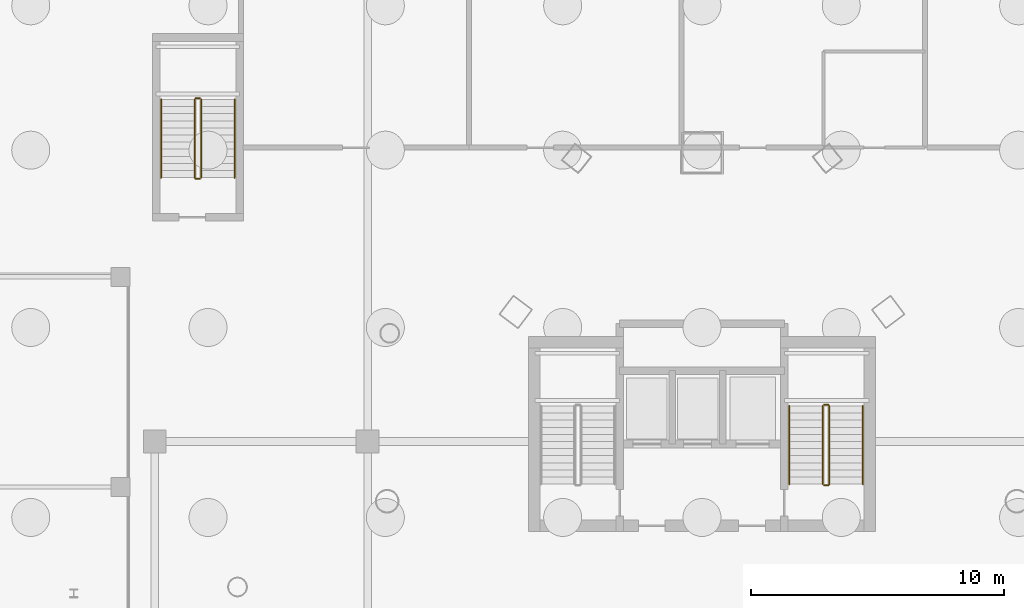
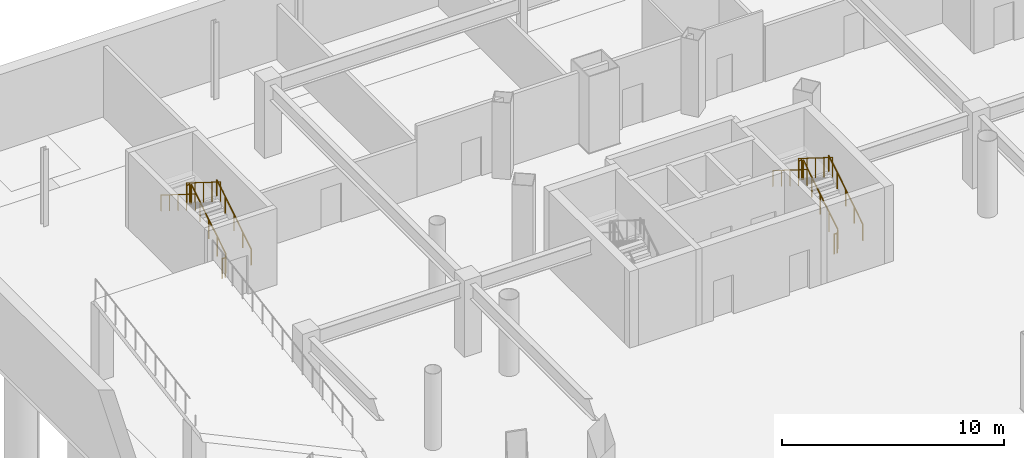
# One storey, part 10 of 12: 12 railings.
"""IFC4 building model written with IfcOpenShell, lengths in metres."""

from ifc_helpers import new_model, si_unit, direction, frame, origin, origin_2d, place, context, subcontext, project, spatial, circle, extrude, material, type_object, element, save


model = new_model("IFC4")

# Units and contexts
model_context = context("Model", 3, precision=1e-05, world=origin(), true_north=direction((0.0, 1.0)))
body_context = subcontext(model_context, "Body", "Model", "MODEL_VIEW")
ifc_project = project(units=[si_unit("LENGTHUNIT", "METRE"), si_unit("AREAUNIT", "SQUARE_METRE"), si_unit("VOLUMEUNIT", "CUBIC_METRE"), si_unit("PLANEANGLEUNIT", "RADIAN"), si_unit("MASSUNIT", "GRAM", prefix="KILO")], contexts=[model_context])

# Site, building, storey
site_placement = place(None, origin())
site = spatial("IfcSite", under=ifc_project, at=site_placement, CompositionType="ELEMENT")
building_placement = place(site_placement, origin())
building = spatial("IfcBuilding", under=site, at=building_placement, Name="Orvanel Arch Residences", CompositionType="ELEMENT")
storey_placement = place(building_placement, frame((0.0, 0.0, -8.39990234375)))
storey = spatial("IfcBuildingStorey", under=building, at=storey_placement, Name="B02", CompositionType="ELEMENT", Elevation=-8.39990234375)

# Railings
ifc_material = material(Name="Structural steel AS/NZS 1163 C350L0 (Grade 350)", Category="steel")
railing_type_1 = type_object("IfcRailingType", Name="RL-STAIR-GUARD", PredefinedType="GUARDRAIL", material=ifc_material)
railing_1_placement = place(storey_placement, frame((38.030029296875, 28.320068359375, 0.1748046875)))
element("IfcRailing", 1, at=railing_1_placement, inside=storey, type_object=railing_type_1, Name="B02 ST-2 stair guard 1", PredefinedType="GUARDRAIL", context=body_context, shape_type="SweptSolid", body=[
    extrude(circle(Radius=0.02392578125, at=origin_2d()), frame((0.0, 0.001220703125, 1.076904296875), z_axis=(0.0, 0.847979421464, 0.530029150871), x_axis=(-1.0, 0.0, 0.0)), (0.0, 0.0, 1.0), 3.62890625),
    extrude(circle(Radius=0.02099609375, at=origin_2d()), origin(), (0.0, 0.0, 1.0), 1.050048828125),
    extrude(circle(Radius=0.02099609375, at=origin_2d()), frame((0.0, 0.77001953125, 0.481201171875)), (0.0, 0.0, 1.0), 1.050048828125),
    extrude(circle(Radius=0.02099609375, at=origin_2d()), frame((0.0, 1.5400390625, 0.96240234375)), (0.0, 0.0, 1.0), 1.050048828125),
    extrude(circle(Radius=0.02099609375, at=origin_2d()), frame((0.0, 2.309814453125, 1.44384765625)), (0.0, 0.0, 1.0), 1.050048828125),
    extrude(circle(Radius=0.02099609375, at=origin_2d()), frame((0.0, 3.079833984375, 1.925048828125)), (0.0, 0.0, 1.0), 1.050048828125),
])
railing_2_placement = place(storey_placement, frame((37.97998046875, 31.449951171875, 2.099853515625)))
element("IfcRailing", 2, at=railing_2_placement, inside=storey, type_object=railing_type_1, Name="B02 ST-2 stair guard 2", PredefinedType="GUARDRAIL", context=body_context, shape_type="SweptSolid", body=[
    extrude(circle(Radius=0.02392578125, at=origin_2d()), frame((-0.00146484375, 0.0, 1.076171875), z_axis=(-1.0, 0.0, 0.0), x_axis=(0.0, -1.0, 0.0)), (0.0, 0.0, 1.0), 0.156982421875),
    extrude(circle(Radius=0.02099609375, at=origin_2d()), origin(), (0.0, 0.0, 1.0), 1.050048828125),
    extrude(circle(Radius=0.02099609375, at=origin_2d()), frame((-0.159912109375, 0.0, 0.0)), (0.0, 0.0, 1.0), 1.050048828125),
])
railing_3_placement = place(storey_placement, frame((37.77001953125, 31.39990234375, 2.27490234375)))
element("IfcRailing", 3, at=railing_3_placement, inside=storey, type_object=railing_type_1, Name="B02 ST-2 stair guard 3", PredefinedType="GUARDRAIL", context=body_context, shape_type="SweptSolid", body=[
    extrude(circle(Radius=0.02392578125, at=origin_2d()), frame((0.0, -0.001220703125, 1.076904296875), z_axis=(0.0, -0.847979421464, 0.530029150871), x_axis=(1.0, 0.0, 0.0)), (0.0, 0.0, 1.0), 3.62890625),
    extrude(circle(Radius=0.02099609375, at=origin_2d()), origin(), (0.0, 0.0, 1.0), 1.050048828125),
    extrude(circle(Radius=0.02099609375, at=origin_2d()), frame((0.0, -0.77001953125, 0.481201171875)), (0.0, 0.0, 1.0), 1.050048828125),
    extrude(circle(Radius=0.02099609375, at=origin_2d()), frame((0.0, -1.5400390625, 0.96240234375)), (0.0, 0.0, 1.0), 1.050048828125),
    extrude(circle(Radius=0.02099609375, at=origin_2d()), frame((0.0, -2.309814453125, 1.44384765625)), (0.0, 0.0, 1.0), 1.050048828125),
    extrude(circle(Radius=0.02099609375, at=origin_2d()), frame((0.0, -3.079833984375, 1.925048828125)), (0.0, 0.0, 1.0), 1.050048828125),
])
railing_4_placement = place(storey_placement, frame((37.97998046875, 28.27001953125, 0.0)))
element("IfcRailing", 4, at=railing_4_placement, inside=storey, type_object=railing_type_1, Name="B02 ST-2 stair guard 4", PredefinedType="GUARDRAIL", context=body_context, shape_type="SweptSolid", body=[
    extrude(circle(Radius=0.02392578125, at=origin_2d()), frame((-0.00146484375, 0.0, 1.076171875), z_axis=(-1.0, 0.0, 0.0), x_axis=(0.0, -1.0, 0.0)), (0.0, 0.0, 1.0), 0.156982421875),
    extrude(circle(Radius=0.02099609375, at=origin_2d()), origin(), (0.0, 0.0, 1.0), 1.050048828125),
    extrude(circle(Radius=0.02099609375, at=origin_2d()), frame((-0.159912109375, 0.0, 0.0)), (0.0, 0.0, 1.0), 1.050048828125),
])
railing_5_placement = place(storey_placement, frame((13.22998046875, 40.419921875, 0.1748046875)))
element("IfcRailing", 5, at=railing_5_placement, inside=storey, type_object=railing_type_1, Name="B02 ST-3 stair guard 1", PredefinedType="GUARDRAIL", context=body_context, shape_type="SweptSolid", body=[
    extrude(circle(Radius=0.02392578125, at=origin_2d()), frame((0.0, 0.001220703125, 1.076904296875), z_axis=(0.0, 0.847998304005, 0.529998940003), x_axis=(-1.0, 0.0, 0.0)), (0.0, 0.0, 1.0), 3.629150390625),
    extrude(circle(Radius=0.02099609375, at=origin_2d()), origin(), (0.0, 0.0, 1.0), 1.050048828125),
    extrude(circle(Radius=0.02099609375, at=origin_2d()), frame((0.0, 0.77001953125, 0.481201171875)), (0.0, 0.0, 1.0), 1.050048828125),
    extrude(circle(Radius=0.02099609375, at=origin_2d()), frame((0.0, 1.5400390625, 0.96240234375)), (0.0, 0.0, 1.0), 1.050048828125),
    extrude(circle(Radius=0.02099609375, at=origin_2d()), frame((0.0, 2.31005859375, 1.44384765625)), (0.0, 0.0, 1.0), 1.050048828125),
    extrude(circle(Radius=0.02099609375, at=origin_2d()), frame((0.0, 3.080078125, 1.925048828125)), (0.0, 0.0, 1.0), 1.050048828125),
])
railing_6_placement = place(storey_placement, frame((13.179931640625, 43.550048828125, 2.099853515625)))
element("IfcRailing", 6, at=railing_6_placement, inside=storey, type_object=railing_type_1, Name="B02 ST-3 stair guard 2", PredefinedType="GUARDRAIL", context=body_context, shape_type="SweptSolid", body=[
    extrude(circle(Radius=0.02392578125, at=origin_2d()), frame((-0.00146484375, 0.0, 1.076171875), z_axis=(-1.0, 0.0, 0.0), x_axis=(0.0, -1.0, 0.0)), (0.0, 0.0, 1.0), 0.156982421875),
    extrude(circle(Radius=0.02099609375, at=origin_2d()), origin(), (0.0, 0.0, 1.0), 1.050048828125),
    extrude(circle(Radius=0.02099609375, at=origin_2d()), frame((-0.159912109375, 0.0, 0.0)), (0.0, 0.0, 1.0), 1.050048828125),
])
railing_7_placement = place(storey_placement, frame((12.969970703125, 43.5, 2.27490234375)))
element("IfcRailing", 7, at=railing_7_placement, inside=storey, type_object=railing_type_1, Name="B02 ST-3 stair guard 3", PredefinedType="GUARDRAIL", context=body_context, shape_type="SweptSolid", body=[
    extrude(circle(Radius=0.02392578125, at=origin_2d()), frame((0.0, -0.001220703125, 1.076904296875), z_axis=(0.0, -0.847998304005, 0.529998940003), x_axis=(1.0, 0.0, 0.0)), (0.0, 0.0, 1.0), 3.629150390625),
    extrude(circle(Radius=0.02099609375, at=origin_2d()), origin(), (0.0, 0.0, 1.0), 1.050048828125),
    extrude(circle(Radius=0.02099609375, at=origin_2d()), frame((0.0, -0.77001953125, 0.481201171875)), (0.0, 0.0, 1.0), 1.050048828125),
    extrude(circle(Radius=0.02099609375, at=origin_2d()), frame((0.0, -1.5400390625, 0.96240234375)), (0.0, 0.0, 1.0), 1.050048828125),
    extrude(circle(Radius=0.02099609375, at=origin_2d()), frame((0.0, -2.31005859375, 1.44384765625)), (0.0, 0.0, 1.0), 1.050048828125),
    extrude(circle(Radius=0.02099609375, at=origin_2d()), frame((0.0, -3.080078125, 1.925048828125)), (0.0, 0.0, 1.0), 1.050048828125),
])
railing_8_placement = place(storey_placement, frame((13.179931640625, 40.3701171875, 0.0)))
element("IfcRailing", 8, at=railing_8_placement, inside=storey, type_object=railing_type_1, Name="B02 ST-3 stair guard 4", PredefinedType="GUARDRAIL", context=body_context, shape_type="SweptSolid", body=[
    extrude(circle(Radius=0.02392578125, at=origin_2d()), frame((-0.00146484375, 0.0, 1.076171875), z_axis=(-1.0, 0.0, 0.0), x_axis=(0.0, -1.0, 0.0)), (0.0, 0.0, 1.0), 0.156982421875),
    extrude(circle(Radius=0.02099609375, at=origin_2d()), origin(), (0.0, 0.0, 1.0), 1.050048828125),
    extrude(circle(Radius=0.02099609375, at=origin_2d()), frame((-0.159912109375, 0.0, 0.0)), (0.0, 0.0, 1.0), 1.050048828125),
])
railing_type_2 = type_object("IfcRailingType", Name="RL-STAIR-HAND", PredefinedType="HANDRAIL", material=ifc_material)
railing_9_placement = place(storey_placement, frame((39.35009765625, 28.320068359375, 0.1748046875)))
element("IfcRailing", 9, at=railing_9_placement, inside=storey, type_object=railing_type_2, Name="B02 ST-2 stair handrail 1", PredefinedType="HANDRAIL", context=body_context, shape_type="SweptSolid", body=[
    extrude(circle(Radius=0.02392578125, at=origin_2d()), frame((0.0, 0.001220703125, 0.876708984375), z_axis=(0.0, 0.847979421464, 0.530029150871), x_axis=(-1.0, 0.0, 0.0)), (0.0, 0.0, 1.0), 3.62890625),
    extrude(circle(Radius=0.02099609375, at=origin_2d()), origin(), (0.0, 0.0, 1.0), 0.849853515625),
    extrude(circle(Radius=0.02099609375, at=origin_2d()), frame((0.0, 0.77001953125, 0.481201171875)), (0.0, 0.0, 1.0), 0.849853515625),
    extrude(circle(Radius=0.02099609375, at=origin_2d()), frame((0.0, 1.5400390625, 0.96240234375)), (0.0, 0.0, 1.0), 0.849853515625),
    extrude(circle(Radius=0.02099609375, at=origin_2d()), frame((0.0, 2.309814453125, 1.44384765625)), (0.0, 0.0, 1.0), 0.849853515625),
    extrude(circle(Radius=0.02099609375, at=origin_2d()), frame((0.0, 3.079833984375, 1.925048828125)), (0.0, 0.0, 1.0), 0.849853515625),
])
railing_10_placement = place(storey_placement, frame((36.449951171875, 31.39990234375, 2.27490234375)))
element("IfcRailing", 10, at=railing_10_placement, inside=storey, type_object=railing_type_2, Name="B02 ST-2 stair handrail 2", PredefinedType="HANDRAIL", context=body_context, shape_type="SweptSolid", body=[
    extrude(circle(Radius=0.02392578125, at=origin_2d()), frame((0.0, -0.001220703125, 0.876708984375), z_axis=(0.0, -0.847979421464, 0.530029150871), x_axis=(1.0, 0.0, 0.0)), (0.0, 0.0, 1.0), 3.62890625),
    extrude(circle(Radius=0.02099609375, at=origin_2d()), origin(), (0.0, 0.0, 1.0), 0.849853515625),
    extrude(circle(Radius=0.02099609375, at=origin_2d()), frame((0.0, -0.77001953125, 0.481201171875)), (0.0, 0.0, 1.0), 0.849853515625),
    extrude(circle(Radius=0.02099609375, at=origin_2d()), frame((0.0, -1.5400390625, 0.96240234375)), (0.0, 0.0, 1.0), 0.849853515625),
    extrude(circle(Radius=0.02099609375, at=origin_2d()), frame((0.0, -2.309814453125, 1.44384765625)), (0.0, 0.0, 1.0), 0.849853515625),
    extrude(circle(Radius=0.02099609375, at=origin_2d()), frame((0.0, -3.079833984375, 1.925048828125)), (0.0, 0.0, 1.0), 0.849853515625),
])
railing_11_placement = place(storey_placement, frame((14.550048828125, 40.419921875, 0.1748046875)))
element("IfcRailing", 11, at=railing_11_placement, inside=storey, type_object=railing_type_2, Name="B02 ST-3 stair handrail 1", PredefinedType="HANDRAIL", context=body_context, shape_type="SweptSolid", body=[
    extrude(circle(Radius=0.02392578125, at=origin_2d()), frame((0.0, 0.001220703125, 0.876708984375), z_axis=(0.0, 0.847998304005, 0.529998940003), x_axis=(-1.0, 0.0, 0.0)), (0.0, 0.0, 1.0), 3.629150390625),
    extrude(circle(Radius=0.02099609375, at=origin_2d()), origin(), (0.0, 0.0, 1.0), 0.849853515625),
    extrude(circle(Radius=0.02099609375, at=origin_2d()), frame((0.0, 0.77001953125, 0.481201171875)), (0.0, 0.0, 1.0), 0.849853515625),
    extrude(circle(Radius=0.02099609375, at=origin_2d()), frame((0.0, 1.5400390625, 0.96240234375)), (0.0, 0.0, 1.0), 0.849853515625),
    extrude(circle(Radius=0.02099609375, at=origin_2d()), frame((0.0, 2.31005859375, 1.44384765625)), (0.0, 0.0, 1.0), 0.849853515625),
    extrude(circle(Radius=0.02099609375, at=origin_2d()), frame((0.0, 3.080078125, 1.925048828125)), (0.0, 0.0, 1.0), 0.849853515625),
])
railing_12_placement = place(storey_placement, frame((11.64990234375, 43.5, 2.27490234375)))
element("IfcRailing", 12, at=railing_12_placement, inside=storey, type_object=railing_type_2, Name="B02 ST-3 stair handrail 2", PredefinedType="HANDRAIL", context=body_context, shape_type="SweptSolid", body=[
    extrude(circle(Radius=0.02392578125, at=origin_2d()), frame((0.0, -0.001220703125, 0.876708984375), z_axis=(0.0, -0.847998304005, 0.529998940003), x_axis=(1.0, 0.0, 0.0)), (0.0, 0.0, 1.0), 3.629150390625),
    extrude(circle(Radius=0.02099609375, at=origin_2d()), origin(), (0.0, 0.0, 1.0), 0.849853515625),
    extrude(circle(Radius=0.02099609375, at=origin_2d()), frame((0.0, -0.77001953125, 0.481201171875)), (0.0, 0.0, 1.0), 0.849853515625),
    extrude(circle(Radius=0.02099609375, at=origin_2d()), frame((0.0, -1.5400390625, 0.96240234375)), (0.0, 0.0, 1.0), 0.849853515625),
    extrude(circle(Radius=0.02099609375, at=origin_2d()), frame((0.0, -2.31005859375, 1.44384765625)), (0.0, 0.0, 1.0), 0.849853515625),
    extrude(circle(Radius=0.02099609375, at=origin_2d()), frame((0.0, -3.080078125, 1.925048828125)), (0.0, 0.0, 1.0), 0.849853515625),
])

save(model, "model.ifc")
